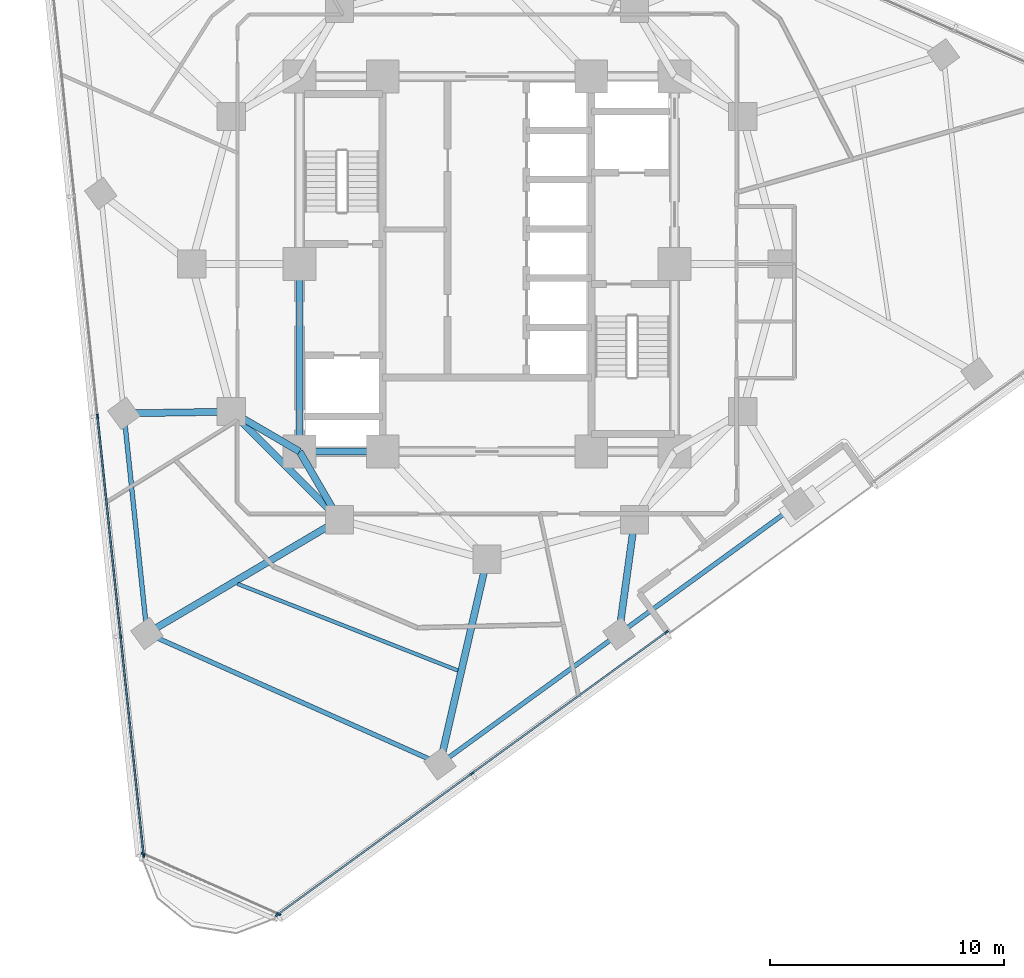
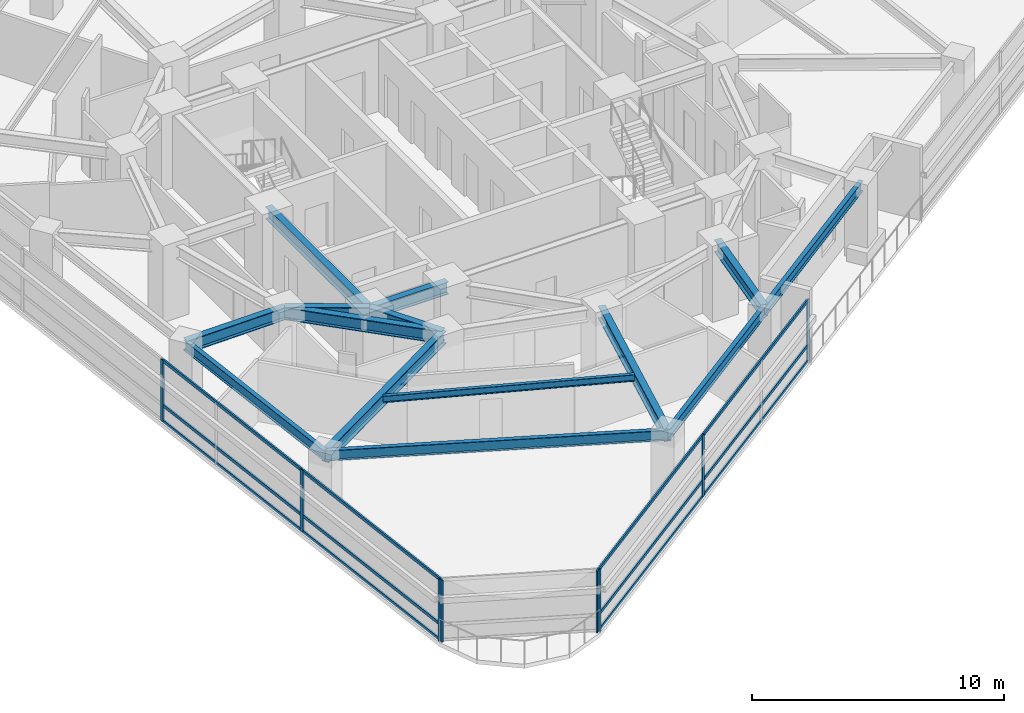
# One storey, part 2 of 14: 20 members, 14 beams, 3 elements without a shape of their own.
"""IFC4 building model written with IfcOpenShell, lengths in metres."""

import ifcopenshell
import ifcopenshell.guid

model = None  # the IFC model being written
_history = None  # IfcOwnerHistory: only IFC2X3 demands one
_inside = {}  # id of a spatial element -> (the spatial element, [elements in it])
_under = {}  # id of a project, library or spatial element -> (it, [spatial elements below it])
_declared = {}  # id of a project -> (the project, [libraries it declares])
_typed = {}  # id of a type object -> (the type object, [elements of that type])
_made_of = {}  # id of a material, layer set ... -> (it, [elements and type objects made of it])


def new_model(schema):
    """Start an empty IFC model of exactly this schema.

    Asked for "IFC4X3", IfcOpenShell would pick the latest addendum, in which some entities
    have other attributes; the version numbers below select the first issue.
    IFC2X3 requires an IfcOwnerHistory on every rooted entity: one is made here for all.
    """
    global model, _history
    if schema == "IFC4X3":
        model = ifcopenshell.file(schema_version=(4, 3, 0, 0))
    else:
        model = ifcopenshell.file(schema=schema)
    _inside.clear()
    _under.clear()
    _declared.clear()
    _typed.clear()
    _made_of.clear()
    _history = None
    if model.schema == "IFC2X3":
        org = make("IfcOrganization", Name="unknown")
        user = make(
            "IfcPersonAndOrganization",
            ThePerson=make("IfcPerson", FamilyName="unknown"),
            TheOrganization=org,
        )
        app = make(
            "IfcApplication",
            ApplicationDeveloper=org,
            Version="unknown",
            ApplicationFullName="unknown",
            ApplicationIdentifier="unknown",
        )
        _history = make(
            "IfcOwnerHistory",
            OwningUser=user,
            OwningApplication=app,
            ChangeAction="ADDED",
            CreationDate=0,
        )
    return model


def make(cls, **values):
    """One entity of the class cls with the attributes given. An attribute that is None is left unset."""
    return model.create_entity(
        cls, **{name: value for name, value in values.items() if value is not None}
    )


def rooted(cls, **values):
    """An entity with a GlobalId (a new one), such as an element, a storey or a relation."""
    return make(cls, GlobalId=ifcopenshell.guid.new(), OwnerHistory=_history, **values)


def si_unit(unit_type, name, prefix=None):
    """IfcSIUnit, for example si_unit("LENGTHUNIT", "METRE", prefix="MILLI")."""
    return make("IfcSIUnit", UnitType=unit_type, Prefix=prefix, Name=name)


def assignment(units):
    """IfcUnitAssignment: the units of a project."""
    return None if units is None else make("IfcUnitAssignment", Units=units)


def point(xyz):
    """IfcCartesianPoint."""
    return None if xyz is None else make("IfcCartesianPoint", Coordinates=xyz)


def direction(xyz):
    """IfcDirection."""
    return None if xyz is None else make("IfcDirection", DirectionRatios=xyz)


def frame(location, z_axis=None, x_axis=None):
    """IfcAxis2Placement3D, a coordinate frame: its origin and axes. An axis left out is left unset."""
    return make(
        "IfcAxis2Placement3D",
        Location=point(location),
        Axis=direction(z_axis),
        RefDirection=direction(x_axis),
    )


def frame_2d(location, x_axis=None):
    """IfcAxis2Placement2D, a coordinate frame in the plane: its origin and x axis."""
    return make(
        "IfcAxis2Placement2D", Location=point(location), RefDirection=direction(x_axis)
    )


def origin():
    """The frame at (0, 0, 0) with its axes left unset."""
    return frame((0.0, 0.0, 0.0))


def origin_2d():
    """The frame at (0, 0) in the plane with its x axis left unset."""
    return frame_2d((0.0, 0.0))


def place(relative_to, where):
    """IfcLocalPlacement: puts the frame where relative to a parent placement (None: the world)."""
    return make(
        "IfcLocalPlacement", PlacementRelTo=relative_to, RelativePlacement=where
    )


def context(
    kind, dimensions, precision=None, world=None, true_north=None, identifier=None
):
    """IfcGeometricRepresentationContext, for example the 3D "Model" context."""
    return make(
        "IfcGeometricRepresentationContext",
        ContextIdentifier=identifier,
        ContextType=kind,
        CoordinateSpaceDimension=dimensions,
        Precision=precision,
        WorldCoordinateSystem=world,
        TrueNorth=true_north,
    )


def subcontext(parent, identifier, kind, view, scale=None):
    """IfcGeometricRepresentationSubContext, for example "Body" below "Model"."""
    return make(
        "IfcGeometricRepresentationSubContext",
        ContextIdentifier=identifier,
        ContextType=kind,
        ParentContext=parent,
        TargetScale=scale,
        TargetView=view,
    )


def project(units=None, contexts=None):
    """IfcProject with its units and contexts."""
    return rooted(
        "IfcProject",
        Name="project",
        RepresentationContexts=contexts,
        UnitsInContext=assignment(units),
    )


def spatial(cls, under=None, at=None, **own):
    """A site, building, storey or space (cls), placed at a placement, below another one or the project."""
    s = rooted(cls, ObjectPlacement=at, **own)
    if under is not None:
        _under.setdefault(under.id(), (under, []))[1].append(s)
    return s


def profile(cls, at=None, kind="AREA", **sizes):
    """A parametric profile (cls). Its sizes go by their IFC names, for example OverallWidth=200.0."""
    return make(cls, ProfileType=kind, Position=at, **sizes)


def rectangle(**sizes):
    """IfcRectangleProfileDef."""
    return profile("IfcRectangleProfileDef", **sizes)


def i_section(**sizes):
    """IfcIShapeProfileDef."""
    return profile("IfcIShapeProfileDef", **sizes)


def extrude(swept, where, along, depth):
    """IfcExtrudedAreaSolid: the profile swept, set in the frame where, extruded along a direction by depth."""
    return make(
        "IfcExtrudedAreaSolid",
        SweptArea=swept,
        Position=where,
        ExtrudedDirection=direction(along),
        Depth=depth,
    )


def shape(context_of_items, identifier, shape_type, items):
    """IfcShapeRepresentation: the items that make up one representation, for example the "Body"."""
    return make(
        "IfcShapeRepresentation",
        ContextOfItems=context_of_items,
        RepresentationIdentifier=identifier,
        RepresentationType=shape_type,
        Items=items,
    )


def material(Name=None, Category=None):
    """IfcMaterial."""
    return make("IfcMaterial", Name=Name, Category=Category)


def layer(
    of_material, thickness, ventilated=None, Name=None, Category=None, Priority=None
):
    """IfcMaterialLayer: one layer of a wall or slab, of a material (None: an air gap)."""
    return make(
        "IfcMaterialLayer",
        Material=of_material,
        LayerThickness=thickness,
        IsVentilated=ventilated,
        Name=Name,
        Category=Category,
        Priority=Priority,
    )


def layer_set(layers, Name=None):
    """IfcMaterialLayerSet."""
    return make("IfcMaterialLayerSet", MaterialLayers=layers, LayerSetName=Name)


def material_profile(
    of_material, cross_section, Name=None, Category=None, Priority=None
):
    """IfcMaterialProfile: a cross section and its material."""
    return make(
        "IfcMaterialProfile",
        Name=Name,
        Material=of_material,
        Profile=cross_section,
        Priority=Priority,
        Category=Category,
    )


def profile_set(profiles, Name=None, composite=None):
    """IfcMaterialProfileSet."""
    return make(
        "IfcMaterialProfileSet",
        Name=Name,
        MaterialProfiles=profiles,
        CompositeProfile=composite,
    )


def made_of(thing, what):
    """Note that an element or type object is made of a material, layer set ...; save() writes the relation."""
    if what is not None:
        _made_of.setdefault(what.id(), (what, []))[1].append(thing)
    return thing


def type_object(cls, material=None, **own):
    """A type object (cls), such as IfcWallType, which elements share."""
    return made_of(rooted(cls, **own), material)


def element(
    cls,
    number,
    at=None,
    inside=None,
    cuts=None,
    type_object=None,
    material=None,
    context=None,
    identifier="Body",
    shape_type=None,
    held_by="IfcProductDefinitionShape",
    body=None,
    shapes=None,
    **own,
):
    """One element of the class cls, such as IfcWall. Its Tag is "e" and its number.

    at: its placement. inside: the storey or other place that contains it. cuts: it is an
    opening in that element (IfcRelVoidsElement). A single representation is given by context,
    identifier, shape_type and body (its items); several are given by shapes. held_by: the class
    of the entity that holds the representations. save() writes the other relations.
    """
    e = rooted(cls, Tag="e%d" % number, ObjectPlacement=at, **own)
    if body is not None:
        shapes = [shape(context, identifier, shape_type, body)]
    if shapes is not None:
        e.Representation = make(held_by, Representations=shapes)
    if inside is not None:
        _inside.setdefault(inside.id(), (inside, []))[1].append(e)
    if cuts is not None:
        rooted(
            "IfcRelVoidsElement", RelatingBuildingElement=cuts, RelatedOpeningElement=e
        )
    if type_object is not None:
        _typed.setdefault(type_object.id(), (type_object, []))[1].append(e)
    return made_of(e, material)


def aggregate(whole, parts):
    """IfcRelAggregates: a whole, such as a stair, and the parts it consists of."""
    return rooted("IfcRelAggregates", RelatingObject=whole, RelatedObjects=parts)


def save(model, path):
    """Write the relations noted so far, then the file.

    IfcRelAggregates (storeys below a building ...), IfcRelContainedInSpatialStructure (elements
    in a storey), IfcRelDefinesByType, IfcRelAssociatesMaterial and IfcRelDeclares: one each for
    every whole, place, type object, material and project.
    """
    for whole, parts in _under.values():
        aggregate(whole, parts)
    for where, things in _inside.values():
        rooted(
            "IfcRelContainedInSpatialStructure",
            RelatedElements=things,
            RelatingStructure=where,
        )
    for kind, things in _typed.values():
        rooted("IfcRelDefinesByType", RelatedObjects=things, RelatingType=kind)
    for what, things in _made_of.values():
        rooted("IfcRelAssociatesMaterial", RelatedObjects=things, RelatingMaterial=what)
    for by, libraries in _declared.values():
        rooted("IfcRelDeclares", RelatingContext=by, RelatedDefinitions=libraries)
    model.write(path)


model = new_model("IFC4")

# Units and contexts
model_context = context("Model", 3, precision=1e-05, world=origin(), true_north=direction((0.0, 1.0)))
body_context = subcontext(model_context, "Body", "Model", "MODEL_VIEW")
ifc_project = project(units=[si_unit("LENGTHUNIT", "METRE"), si_unit("AREAUNIT", "SQUARE_METRE"), si_unit("VOLUMEUNIT", "CUBIC_METRE"), si_unit("PLANEANGLEUNIT", "RADIAN"), si_unit("MASSUNIT", "GRAM", prefix="KILO")], contexts=[model_context])

# Site, building, storey
site_placement = place(None, origin())
site = spatial("IfcSite", under=ifc_project, at=site_placement, CompositionType="ELEMENT")
building_placement = place(site_placement, origin())
building = spatial("IfcBuilding", under=site, at=building_placement, Name="Terralouvre Media Tower", CompositionType="ELEMENT")
storey_placement = place(building_placement, frame((0.0, 0.0, 158.300048828125)))
storey = spatial("IfcBuildingStorey", under=building, at=storey_placement, Name="L40", CompositionType="ELEMENT", Elevation=158.300048828125)

# Beam
ifc_material_1 = material(Name="Structural steel S355J2", Category="steel")
ifc_material_profile_1 = material_profile(ifc_material_1, i_section(OverallWidth=0.159912109375, OverallDepth=0.330078125, WebThickness=0.007568359375, FlangeThickness=0.011474609375, at=origin_2d()), Name="IPE 330")
ifc_profile_set_1 = profile_set([ifc_material_profile_1], Name="Structural steel S355J2")
beam_type_1 = type_object("IfcBeamType", Name="Composite Floor Joist J-IPE330 (IPE 330)", PredefinedType="JOIST", material=ifc_profile_set_1)
beam_1_placement = place(storey_placement, frame((-10.638916015625, -13.648681640625, 3.3349609375), z_axis=(0.93055150024, -0.366161037525, 0.0), x_axis=(0.366161037525, 0.93055150024, 0.0)))
element("IfcBeam", 1, at=beam_1_placement, inside=storey, type_object=beam_type_1, Name="L40 Framing Beam JT-L40-01", PredefinedType="JOIST", context=body_context, shape_type="SweptSolid", body=[
    extrude(i_section(OverallWidth=0.159912109375, OverallDepth=0.330078125, WebThickness=0.007568359375, FlangeThickness=0.011474609375, at=origin_2d()), origin(), (0.0, 0.0, 1.0), 10.0966796875),
])

# Curtain wall, members
ifc_material_2 = material(Name="Low-iron laminated double glazing with solar-control coating", Category="glass")
ifc_layer_1 = layer(ifc_material_2, 0.1650390625, Name="Production Studio Tower Curtain Wall CW-03")
ifc_layer_set_1 = layer_set([ifc_layer_1], Name="Low-iron laminated double glazing with solar-control coating")
curtain_wall_type_1 = type_object("IfcCurtainWallType", Name="Production Studio Tower Curtain Wall CW-03", PredefinedType="NOTDEFINED", material=ifc_layer_set_1)
curtain_wall_1_placement = place(storey_placement, origin())
curtain_wall_1 = element("IfcCurtainWall", 2, at=curtain_wall_1_placement, inside=storey, type_object=curtain_wall_type_1, Name="L40 Left Flank Curtain Wall F0", PredefinedType="NOTDEFINED")
ifc_material_3 = material(Name="Anodised extruded aluminium 6063-T6", Category="aluminium")
ifc_material_profile_2 = material_profile(ifc_material_3, rectangle(XDim=0.074951171875, YDim=0.14990234375, at=origin_2d()), Name="ALU 75x150")
ifc_profile_set_2 = profile_set([ifc_material_profile_2], Name="Anodised extruded aluminium 6063-T6")
member_type_1 = type_object("IfcMemberType", Name="Curtain-Wall Horizontal Transom TR-150", PredefinedType="USERDEFINED", material=ifc_profile_set_2)
member_1_placement = place(storey_placement, frame((-8.9189453125, -27.7470703125, 0.037353515625), z_axis=(0.809012694166, 0.587791170976, 0.0), x_axis=(-0.587791170976, 0.809012694166, 0.0)))
member_1 = element("IfcMember", 3, at=member_1_placement, type_object=member_type_1, Name="CW-03 transom 1.1", ObjectType="TRANSOM", PredefinedType="USERDEFINED", context=body_context, shape_type="SweptSolid", body=[
    extrude(rectangle(XDim=0.074951171875, YDim=0.14990234375, at=origin_2d()), origin(), (0.0, 0.0, 1.0), 10.187255859375),
])
member_2_placement = place(storey_placement, frame((-8.9189453125, -27.7470703125, 0.800048828125), z_axis=(0.809012694166, 0.587791170976, 0.0), x_axis=(-0.587791170976, 0.809012694166, 0.0)))
member_2 = element("IfcMember", 4, at=member_2_placement, type_object=member_type_1, Name="CW-03 transom 1.2", ObjectType="TRANSOM", PredefinedType="USERDEFINED", context=body_context, shape_type="SweptSolid", body=[
    extrude(rectangle(XDim=0.074951171875, YDim=0.14990234375, at=origin_2d()), origin(), (0.0, 0.0, 1.0), 10.187255859375),
])
member_3_placement = place(storey_placement, frame((-8.9189453125, -27.7470703125, 2.96240234375), z_axis=(0.809012694166, 0.587791170976, 0.0), x_axis=(-0.587791170976, 0.809012694166, 0.0)))
member_3 = element("IfcMember", 5, at=member_3_placement, type_object=member_type_1, Name="CW-03 transom 1.3", ObjectType="TRANSOM", PredefinedType="USERDEFINED", context=body_context, shape_type="SweptSolid", body=[
    extrude(rectangle(XDim=0.074951171875, YDim=0.14990234375, at=origin_2d()), origin(), (0.0, 0.0, 1.0), 10.187255859375),
])
member_4_placement = place(storey_placement, frame((-0.616455078125, -21.715087890625, 0.037353515625), z_axis=(0.809020973819, 0.587779775019, 0.0), x_axis=(-0.587779775019, 0.809020973819, 0.0)))
member_4 = element("IfcMember", 6, at=member_4_placement, type_object=member_type_1, Name="CW-03 transom 2.1", ObjectType="TRANSOM", PredefinedType="USERDEFINED", context=body_context, shape_type="SweptSolid", body=[
    extrude(rectangle(XDim=0.074951171875, YDim=0.14990234375, at=origin_2d()), origin(), (0.0, 0.0, 1.0), 10.1875),
])
member_5_placement = place(storey_placement, frame((-0.616455078125, -21.715087890625, 0.800048828125), z_axis=(0.809020973819, 0.587779775019, 0.0), x_axis=(-0.587779775019, 0.809020973819, 0.0)))
member_5 = element("IfcMember", 7, at=member_5_placement, type_object=member_type_1, Name="CW-03 transom 2.2", ObjectType="TRANSOM", PredefinedType="USERDEFINED", context=body_context, shape_type="SweptSolid", body=[
    extrude(rectangle(XDim=0.074951171875, YDim=0.14990234375, at=origin_2d()), origin(), (0.0, 0.0, 1.0), 10.1875),
])
member_6_placement = place(storey_placement, frame((-0.616455078125, -21.715087890625, 2.96240234375), z_axis=(0.809020973819, 0.587779775019, 0.0), x_axis=(-0.587779775019, 0.809020973819, 0.0)))
member_6 = element("IfcMember", 8, at=member_6_placement, type_object=member_type_1, Name="CW-03 transom 2.3", ObjectType="TRANSOM", PredefinedType="USERDEFINED", context=body_context, shape_type="SweptSolid", body=[
    extrude(rectangle(XDim=0.074951171875, YDim=0.14990234375, at=origin_2d()), origin(), (0.0, 0.0, 1.0), 10.1875),
])

curtain_wall_2_placement = place(storey_placement, origin())
curtain_wall_2 = element("IfcCurtainWall", 9, at=curtain_wall_2_placement, inside=storey, type_object=curtain_wall_type_1, Name="L40 Facade Curtain Wall F2", PredefinedType="NOTDEFINED")
member_7_placement = place(storey_placement, frame((-16.614013671875, -6.52978515625, 0.037353515625), z_axis=(0.104538223456, -0.994520869483, 0.0), x_axis=(0.994520869483, 0.104538223456, 0.0)))
member_7 = element("IfcMember", 10, at=member_7_placement, type_object=member_type_1, Name="CW-03 transom 4.1", ObjectType="TRANSOM", PredefinedType="USERDEFINED", context=body_context, shape_type="SweptSolid", body=[
    extrude(rectangle(XDim=0.074951171875, YDim=0.14990234375, at=origin_2d()), origin(), (0.0, 0.0, 1.0), 9.364990234375),
])
member_8_placement = place(storey_placement, frame((-16.614013671875, -6.52978515625, 0.800048828125), z_axis=(0.104538223456, -0.994520869483, 0.0), x_axis=(0.994520869483, 0.104538223456, 0.0)))
member_8 = element("IfcMember", 11, at=member_8_placement, type_object=member_type_1, Name="CW-03 transom 4.2", ObjectType="TRANSOM", PredefinedType="USERDEFINED", context=body_context, shape_type="SweptSolid", body=[
    extrude(rectangle(XDim=0.074951171875, YDim=0.14990234375, at=origin_2d()), origin(), (0.0, 0.0, 1.0), 9.364990234375),
])
member_9_placement = place(storey_placement, frame((-16.614013671875, -6.52978515625, 2.96240234375), z_axis=(0.104538223456, -0.994520869483, 0.0), x_axis=(0.994520869483, 0.104538223456, 0.0)))
member_9 = element("IfcMember", 12, at=member_9_placement, type_object=member_type_1, Name="CW-03 transom 4.3", ObjectType="TRANSOM", PredefinedType="USERDEFINED", context=body_context, shape_type="SweptSolid", body=[
    extrude(rectangle(XDim=0.074951171875, YDim=0.14990234375, at=origin_2d()), origin(), (0.0, 0.0, 1.0), 9.364990234375),
])
member_10_placement = place(storey_placement, frame((-15.627197265625, -15.918212890625, 0.037353515625), z_axis=(0.104540358364, -0.994520645071, 0.0), x_axis=(0.994520645071, 0.104540358364, 0.0)))
member_10 = element("IfcMember", 13, at=member_10_placement, type_object=member_type_1, Name="CW-03 transom 5.1", ObjectType="TRANSOM", PredefinedType="USERDEFINED", context=body_context, shape_type="SweptSolid", body=[
    extrude(rectangle(XDim=0.074951171875, YDim=0.14990234375, at=origin_2d()), origin(), (0.0, 0.0, 1.0), 9.327392578125),
])
member_11_placement = place(storey_placement, frame((-15.627197265625, -15.918212890625, 0.800048828125), z_axis=(0.104540358364, -0.994520645071, 0.0), x_axis=(0.994520645071, 0.104540358364, 0.0)))
member_11 = element("IfcMember", 14, at=member_11_placement, type_object=member_type_1, Name="CW-03 transom 5.2", ObjectType="TRANSOM", PredefinedType="USERDEFINED", context=body_context, shape_type="SweptSolid", body=[
    extrude(rectangle(XDim=0.074951171875, YDim=0.14990234375, at=origin_2d()), origin(), (0.0, 0.0, 1.0), 9.327392578125),
])
member_12_placement = place(storey_placement, frame((-15.627197265625, -15.918212890625, 2.96240234375), z_axis=(0.104540358364, -0.994520645071, 0.0), x_axis=(0.994520645071, 0.104540358364, 0.0)))
member_12 = element("IfcMember", 15, at=member_12_placement, type_object=member_type_1, Name="CW-03 transom 5.3", ObjectType="TRANSOM", PredefinedType="USERDEFINED", context=body_context, shape_type="SweptSolid", body=[
    extrude(rectangle(XDim=0.074951171875, YDim=0.14990234375, at=origin_2d()), origin(), (0.0, 0.0, 1.0), 9.327392578125),
])

# Member
ifc_material_4 = material(Name="Anodised extruded aluminium 6063-T6", Category="aluminium")
ifc_material_profile_3 = material_profile(ifc_material_4, rectangle(XDim=0.074951171875, YDim=0.179931640625, at=origin_2d()), Name="ALU 75x180")
ifc_profile_set_3 = profile_set([ifc_material_profile_3], Name="Anodised extruded aluminium 6063-T6")
member_type_2 = type_object("IfcMemberType", Name="Curtain-Wall Vertical Mullion ML-180", PredefinedType="MULLION", material=ifc_profile_set_3)
member_13_placement = place(storey_placement, frame((-8.949462890625, -27.769287109375, 0.0), z_axis=(0.0, 0.0, 1.0), x_axis=(-0.587785057337, 0.809017136018, 0.0)))
member_13 = element("IfcMember", 16, at=member_13_placement, type_object=member_type_2, Name="CW-03 mullion 1", PredefinedType="MULLION", context=body_context, shape_type="SweptSolid", body=[
    extrude(rectangle(XDim=0.074951171875, YDim=0.179931640625, at=origin_2d()), origin(), (0.0, 0.0, 1.0), 3.0),
])

member_14_placement = place(storey_placement, frame((-0.646728515625, -21.737060546875, 0.0), z_axis=(0.0, 0.0, 1.0), x_axis=(-0.587785057337, 0.809017136018, 0.0)))
member_14 = element("IfcMember", 17, at=member_14_placement, type_object=member_type_2, Name="CW-03 mullion 2", PredefinedType="MULLION", context=body_context, shape_type="SweptSolid", body=[
    extrude(rectangle(XDim=0.074951171875, YDim=0.179931640625, at=origin_2d()), origin(), (0.0, 0.0, 1.0), 3.0),
])

member_15_placement = place(storey_placement, frame((7.65576171875, -15.704833984375, 0.0), z_axis=(0.0, 0.0, 1.0), x_axis=(-0.587785057337, 0.809017136018, 0.0)))
member_15 = element("IfcMember", 18, at=member_15_placement, type_object=member_type_2, Name="CW-03 mullion 3", PredefinedType="MULLION", context=body_context, shape_type="SweptSolid", body=[
    extrude(rectangle(XDim=0.074951171875, YDim=0.179931640625, at=origin_2d()), origin(), (0.0, 0.0, 1.0), 3.0),
])

aggregate(curtain_wall_1, [member_13, member_14, member_15, member_1, member_2, member_3, member_4, member_5, member_6])

member_16_placement = place(storey_placement, frame((-16.617919921875, -6.49267578125, 0.0), z_axis=(0.0, 0.0, 1.0), x_axis=(0.994521904516, 0.104528376236, 0.0)))
member_16 = element("IfcMember", 19, at=member_16_placement, type_object=member_type_2, Name="CW-03 mullion 4", PredefinedType="MULLION", context=body_context, shape_type="SweptSolid", body=[
    extrude(rectangle(XDim=0.074951171875, YDim=0.179931640625, at=origin_2d()), origin(), (0.0, 0.0, 1.0), 3.0),
])

member_17_placement = place(storey_placement, frame((-15.631103515625, -15.880859375, 0.0), z_axis=(0.0, 0.0, 1.0), x_axis=(0.994521904516, 0.104528376236, 0.0)))
member_17 = element("IfcMember", 20, at=member_17_placement, type_object=member_type_2, Name="CW-03 mullion 5", PredefinedType="MULLION", context=body_context, shape_type="SweptSolid", body=[
    extrude(rectangle(XDim=0.074951171875, YDim=0.179931640625, at=origin_2d()), origin(), (0.0, 0.0, 1.0), 3.0),
])

member_18_placement = place(storey_placement, frame((-14.648193359375, -25.23193359375, 0.0), z_axis=(0.0, 0.0, 1.0), x_axis=(0.994521904516, 0.104528376236, 0.0)))
member_18 = element("IfcMember", 21, at=member_18_placement, type_object=member_type_2, Name="CW-03 mullion 6", PredefinedType="MULLION", context=body_context, shape_type="SweptSolid", body=[
    extrude(rectangle(XDim=0.074951171875, YDim=0.179931640625, at=origin_2d()), origin(), (0.0, 0.0, 1.0), 3.0),
])

aggregate(curtain_wall_2, [member_16, member_17, member_18, member_7, member_8, member_9, member_10, member_11, member_12])

# Curtain wall, members
ifc_material_5 = material(Name="Low-iron laminated double glazing with solar-control coating", Category="glass")
ifc_layer_2 = layer(ifc_material_5, 0.1650390625, Name="Rounded Wind-Corner Curved Glazing CW-04")
ifc_layer_set_2 = layer_set([ifc_layer_2], Name="Low-iron laminated double glazing with solar-control coating")
curtain_wall_type_2 = type_object("IfcCurtainWallType", Name="Rounded Wind-Corner Curved Glazing CW-04", PredefinedType="NOTDEFINED", material=ifc_layer_set_2)
curtain_wall_3_placement = place(storey_placement, origin())
curtain_wall_3 = element("IfcCurtainWall", 22, at=curtain_wall_3_placement, inside=storey, type_object=curtain_wall_type_2, Name="L40 Rounded Wind-Corner Curtain Wall C0", PredefinedType="NOTDEFINED")
member_19_placement = place(storey_placement, frame((-14.67236328125, -25.169189453125, 0.0), z_axis=(0.0, 0.0, 1.0), x_axis=(0.406736754128, 0.913545408199, 0.0)))
member_19 = element("IfcMember", 23, at=member_19_placement, type_object=member_type_2, Name="CW-04 mullion 1", PredefinedType="MULLION", context=body_context, shape_type="SweptSolid", body=[
    extrude(rectangle(XDim=0.074951171875, YDim=0.179931640625, at=origin_2d()), origin(), (0.0, 0.0, 1.0), 3.0),
])
member_20_placement = place(storey_placement, frame((-8.886474609375, -27.7451171875, 0.0), z_axis=(0.0, 0.0, 1.0), x_axis=(0.406736754128, 0.913545408199, 0.0)))
member_20 = element("IfcMember", 24, at=member_20_placement, type_object=member_type_2, Name="CW-04 mullion 2", PredefinedType="MULLION", context=body_context, shape_type="SweptSolid", body=[
    extrude(rectangle(XDim=0.074951171875, YDim=0.179931640625, at=origin_2d()), origin(), (0.0, 0.0, 1.0), 3.0),
])
aggregate(curtain_wall_3, [member_19, member_20])

# Beams
ifc_material_6 = material(Name="Structural steel S355J2", Category="steel")
ifc_material_profile_4 = material_profile(ifc_material_6, i_section(OverallWidth=0.199951171875, OverallDepth=0.5, WebThickness=0.01025390625, FlangeThickness=0.01611328125, at=origin_2d()), Name="IPE 500")
ifc_profile_set_4 = profile_set([ifc_material_profile_4], Name="Structural steel S355J2")
beam_type_2 = type_object("IfcBeamType", Name="Perimeter Spandrel Beam SPB-500 (IPE 500)", PredefinedType="SPANDREL", material=ifc_profile_set_4)
beam_2_placement = place(storey_placement, frame((-15.494140625, -6.37451171875, 3.25), z_axis=(0.10453669331, -0.994521030321, 0.0), x_axis=(0.994521030321, 0.10453669331, 0.0)))
element("IfcBeam", 25, at=beam_2_placement, inside=storey, type_object=beam_type_2, Name="L40 Framing Beam BM-L40-PR01", PredefinedType="SPANDREL", context=body_context, shape_type="SweptSolid", body=[
    extrude(i_section(OverallWidth=0.199951171875, OverallDepth=0.5, WebThickness=0.01025390625, FlangeThickness=0.01611328125, at=origin_2d()), origin(), (0.0, 0.0, 1.0), 9.43994140625),
])
beam_3_placement = place(storey_placement, frame((-14.50732421875, -15.7626953125, 3.25), z_axis=(0.913542800127, -0.4067426119, 0.0), x_axis=(0.4067426119, 0.913542800127, 0.0)))
element("IfcBeam", 26, at=beam_3_placement, inside=storey, type_object=beam_type_2, Name="L40 Framing Beam BM-L40-PR02", PredefinedType="SPANDREL", context=body_context, shape_type="SweptSolid", body=[
    extrude(i_section(OverallWidth=0.199951171875, OverallDepth=0.5, WebThickness=0.01025390625, FlangeThickness=0.01611328125, at=origin_2d()), origin(), (0.0, 0.0, 1.0), 13.68359375),
])
beam_4_placement = place(storey_placement, frame((-2.0068359375, -21.328369140625, 3.25), z_axis=(0.809025644413, 0.587773346352, 0.0), x_axis=(-0.587773346352, 0.809025644413, 0.0)))
element("IfcBeam", 27, at=beam_4_placement, inside=storey, type_object=beam_type_2, Name="L40 Framing Beam BM-L40-PR03", PredefinedType="SPANDREL", context=body_context, shape_type="SweptSolid", body=[
    extrude(i_section(OverallWidth=0.199951171875, OverallDepth=0.5, WebThickness=0.01025390625, FlangeThickness=0.01611328125, at=origin_2d()), origin(), (0.0, 0.0, 1.0), 9.43994140625),
])
beam_5_placement = place(storey_placement, frame((5.63037109375, -15.77978515625, 3.25), z_axis=(0.809013346268, 0.587790273448, 0.0), x_axis=(-0.587790273448, 0.809013346268, 0.0)))
element("IfcBeam", 28, at=beam_5_placement, inside=storey, type_object=beam_type_2, Name="L40 Framing Beam BM-L40-PR04", PredefinedType="SPANDREL", context=body_context, shape_type="SweptSolid", body=[
    extrude(i_section(OverallWidth=0.199951171875, OverallDepth=0.5, WebThickness=0.01025390625, FlangeThickness=0.01611328125, at=origin_2d()), origin(), (0.0, 0.0, 1.0), 9.440185546875),
])
ifc_material_7 = material(Name="Structural steel S460M", Category="steel")
ifc_material_profile_5 = material_profile(ifc_material_7, i_section(OverallWidth=0.300048828125, OverallDepth=0.60009765625, WebThickness=0.015380859375, FlangeThickness=0.030029296875, at=origin_2d()), Name="HEB 600")
ifc_profile_set_5 = profile_set([ifc_material_profile_5], Name="Structural steel S460M")
beam_type_3 = type_object("IfcBeamType", Name="Primary Floor Girder B-HEB600 (HEB 600)", PredefinedType="BEAM", material=ifc_profile_set_5)
beam_6_placement = place(storey_placement, frame((-8.0, -8.0, 3.199951171875), z_axis=(1.0, 0.0, 0.0), x_axis=(0.0, 1.0, 0.0)))
element("IfcBeam", 29, at=beam_6_placement, inside=storey, type_object=beam_type_3, Name="L40 Framing Beam BM-L40-CPR01", PredefinedType="BEAM", context=body_context, shape_type="SweptSolid", body=[
    extrude(i_section(OverallWidth=0.300048828125, OverallDepth=0.60009765625, WebThickness=0.015380859375, FlangeThickness=0.030029296875, at=origin_2d()), origin(), (0.0, 0.0, 1.0), 3.550048828125),
])
beam_7_placement = place(storey_placement, frame((-8.0, 0.0, 3.199951171875), z_axis=(0.0, -1.0, 0.0), x_axis=(1.0, 0.0, 0.0)))
element("IfcBeam", 30, at=beam_7_placement, inside=storey, type_object=beam_type_3, Name="L40 Framing Beam BM-L40-CPR10", PredefinedType="BEAM", context=body_context, shape_type="SweptSolid", body=[
    extrude(i_section(OverallWidth=0.300048828125, OverallDepth=0.60009765625, WebThickness=0.015380859375, FlangeThickness=0.030029296875, at=origin_2d()), origin(), (0.0, 0.0, 1.0), 8.0),
])
beam_8_placement = place(storey_placement, frame((-10.911865234375, -6.300048828125, 3.199951171875), z_axis=(0.707106781187, -0.707106781187, 0.0), x_axis=(0.707106781187, 0.707106781187, 0.0)))
element("IfcBeam", 31, at=beam_8_placement, inside=storey, type_object=beam_type_3, Name="L40 Framing Beam BM-L40-MR01", PredefinedType="BEAM", context=body_context, shape_type="SweptSolid", body=[
    extrude(i_section(OverallWidth=0.300048828125, OverallDepth=0.60009765625, WebThickness=0.015380859375, FlangeThickness=0.030029296875, at=origin_2d()), origin(), (0.0, 0.0, 1.0), 6.52197265625),
])
for number, where, z_axis, x_axis, name in (
    (32, (-8.0, -8.0, 3.199951171875), (-0.863602894532, 0.504172629717, 0.0), (-0.504172629717, -0.863602894532, 0.0), "L40 Framing Beam BM-L40-CM01"),
    (33, (-8.0, -8.0, 3.199951171875), (0.504172629717, -0.863602894532, 0.0), (0.863602894532, 0.504172629717, 0.0), "L40 Framing Beam BM-L40-CM02"),
):
    element("IfcBeam", number, at=place(storey_placement, frame(where, z_axis=z_axis, x_axis=x_axis)), inside=storey, type_object=beam_type_3, Name=name, PredefinedType="BEAM", context=body_context, shape_type="SweptSolid", body=[
        extrude(i_section(OverallWidth=0.300048828125, OverallDepth=0.60009765625, WebThickness=0.015380859375, FlangeThickness=0.030029296875, at=origin_2d()), origin(), (0.0, 0.0, 1.0), 3.371826171875),
    ])
beam_9_placement = place(storey_placement, frame((-10.911865234375, -6.300048828125, 3.199951171875), z_axis=(-0.999867991647, -0.016248054635, 0.0), x_axis=(0.016248054635, -0.999867991647, 0.0)))
element("IfcBeam", 34, at=beam_9_placement, inside=storey, type_object=beam_type_3, Name="L40 Framing Beam BM-L40-RD01", PredefinedType="BEAM", context=body_context, shape_type="SweptSolid", body=[
    extrude(i_section(OverallWidth=0.300048828125, OverallDepth=0.60009765625, WebThickness=0.015380859375, FlangeThickness=0.030029296875, at=origin_2d()), origin(), (0.0, 0.0, 1.0), 4.582763671875),
])
beam_10_placement = place(storey_placement, frame((-6.300048828125, -10.911865234375, 3.199951171875), z_axis=(-0.86087707212, -0.508812997768, 0.0), x_axis=(0.508812997768, -0.86087707212, 0.0)))
element("IfcBeam", 35, at=beam_10_placement, inside=storey, type_object=beam_type_3, Name="L40 Framing Beam BM-L40-RD02", PredefinedType="BEAM", context=body_context, shape_type="SweptSolid", body=[
    extrude(i_section(OverallWidth=0.300048828125, OverallDepth=0.60009765625, WebThickness=0.015380859375, FlangeThickness=0.030029296875, at=origin_2d()), origin(), (0.0, 0.0, 1.0), 9.53369140625),
])
beam_11_placement = place(storey_placement, frame((0.0, -12.60009765625, 3.199951171875), z_axis=(-0.224077011605, -0.974571440619, 0.0), x_axis=(0.974571440619, -0.224077011605, 0.0)))
element("IfcBeam", 36, at=beam_11_placement, inside=storey, type_object=beam_type_3, Name="L40 Framing Beam BM-L40-RD03", PredefinedType="BEAM", context=body_context, shape_type="SweptSolid", body=[
    extrude(i_section(OverallWidth=0.300048828125, OverallDepth=0.60009765625, WebThickness=0.015380859375, FlangeThickness=0.030029296875, at=origin_2d()), origin(), (0.0, 0.0, 1.0), 8.9560546875),
])
beam_12_placement = place(storey_placement, frame((6.300048828125, -10.911865234375, 3.199951171875), z_axis=(-0.136285998947, -0.990669534452, 0.0), x_axis=(0.990669534452, -0.136285998947, 0.0)))
element("IfcBeam", 37, at=beam_12_placement, inside=storey, type_object=beam_type_3, Name="L40 Framing Beam BM-L40-RD04", PredefinedType="BEAM", context=body_context, shape_type="SweptSolid", body=[
    extrude(i_section(OverallWidth=0.300048828125, OverallDepth=0.60009765625, WebThickness=0.015380859375, FlangeThickness=0.030029296875, at=origin_2d()), origin(), (0.0, 0.0, 1.0), 4.913818359375),
])

save(model, "model.ifc")
